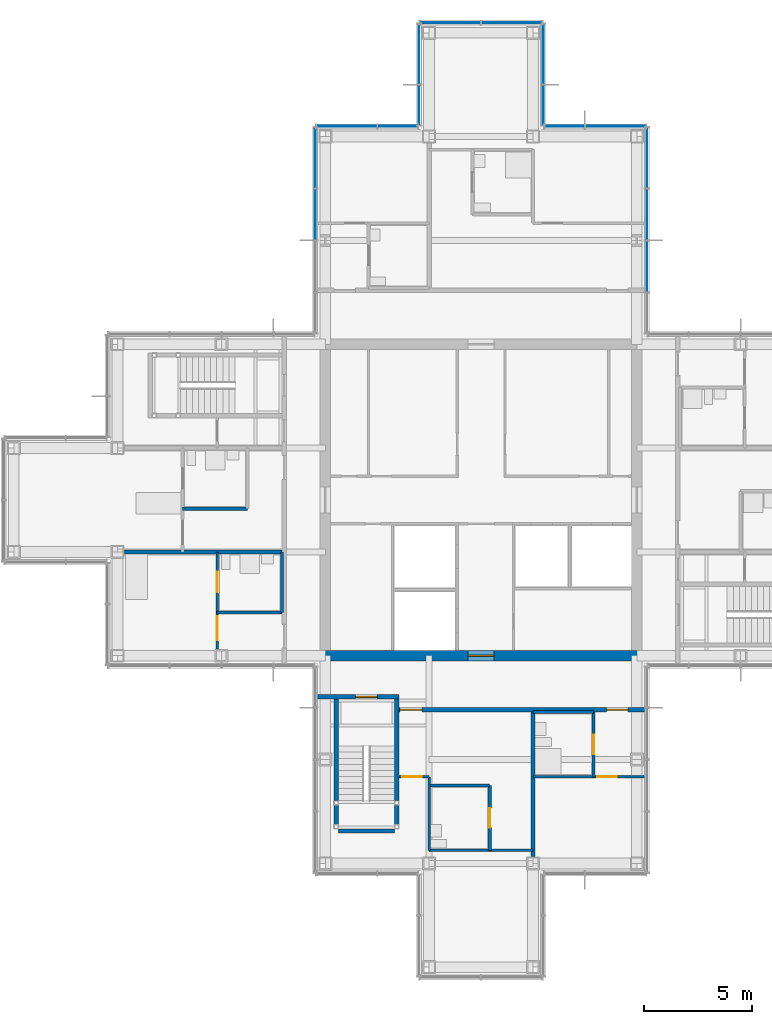
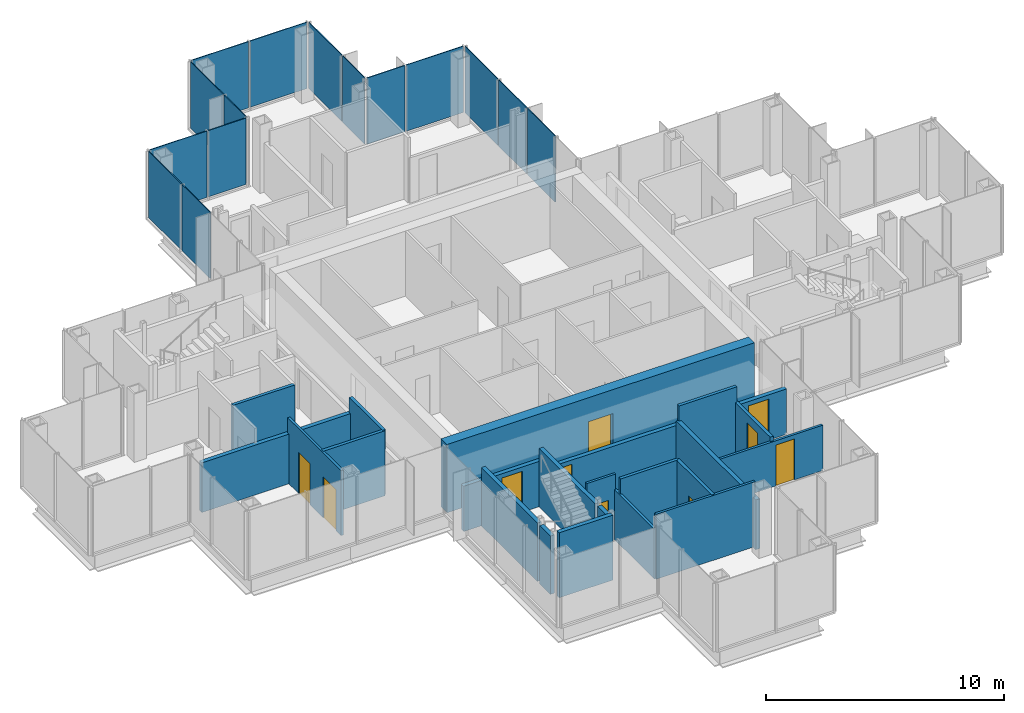
# One storey, part 11 of 17: 22 walls, 15 plates, 10 doors, 10 openings, 7 elements without a shape of their own.
"""IFC4 building model written with IfcOpenShell, lengths in metres."""

from ifc_helpers import new_model, si_unit, direction, frame, frame_2d, origin, origin_2d, place, context, subcontext, project, spatial, rectangle, extrude, material, layer, layer_set, type_object, element, fill, aggregate, save


model = new_model("IFC4")

# Units and contexts
model_context = context("Model", 3, precision=1e-05, world=origin(), true_north=direction((0.0, 1.0)))
body_context = subcontext(model_context, "Body", "Model", "MODEL_VIEW")
ifc_project = project(units=[si_unit("LENGTHUNIT", "METRE"), si_unit("AREAUNIT", "SQUARE_METRE"), si_unit("VOLUMEUNIT", "CUBIC_METRE"), si_unit("PLANEANGLEUNIT", "RADIAN"), si_unit("MASSUNIT", "GRAM", prefix="KILO")], contexts=[model_context])

# Site, building, storey
site_placement = place(None, origin())
site = spatial("IfcSite", under=ifc_project, at=site_placement, CompositionType="ELEMENT")
building_placement = place(site_placement, origin())
building = spatial("IfcBuilding", under=site, at=building_placement, Name="Kvirike Care Tower", CompositionType="ELEMENT")
storey_placement = place(building_placement, frame((0.0, 0.0, 169.0)))
storey = spatial("IfcBuildingStorey", under=building, at=storey_placement, Name="L46", CompositionType="ELEMENT", Elevation=169.0)

# Curtain wall, plates
ifc_material_1 = material(Name="Anodised aluminium stick system", Category="aluminium")
curtain_wall_type = type_object("IfcCurtainWallType", Name="CW-C STICK CURTAIN WALL", PredefinedType="NOTDEFINED", material=ifc_material_1)
curtain_wall_1_placement = place(storey_placement, origin())
curtain_wall_1 = element("IfcCurtainWall", 1, at=curtain_wall_1_placement, inside=storey, type_object=curtain_wall_type, Name="Curtain wall L46 face 8", PredefinedType="NOTDEFINED")
ifc_material_2 = material(Name="Tinted double glazed unit", Category="glass")
ifc_layer_1 = layer(ifc_material_2, 0.0400390625)
ifc_layer_set_1 = layer_set([ifc_layer_1], Name="TINTED VISION PANEL 40")
plate_type = type_object("IfcPlateType", Name="TINTED VISION PANEL 40", PredefinedType="CURTAIN_PANEL", material=ifc_layer_set_1)
plate_1_placement = place(storey_placement, frame((29.27001953125, 46.800048828125, 0.10009765625), z_axis=(0.0, 0.0, 1.0), x_axis=(0.0, 1.0, 0.0)))
plate_1 = element("IfcPlate", 2, at=plate_1_placement, type_object=plate_type, Name="CW-C panel L46 face 8.2", PredefinedType="CURTAIN_PANEL", context=body_context, shape_type="SweptSolid", body=[
    extrude(rectangle(XDim=2.3349609375, YDim=0.0400390625, at=origin_2d()), origin(), (0.0, 0.0, 1.0), 3.39990234375),
])
plate_2_placement = place(storey_placement, frame((29.27001953125, 49.199951171875, 0.10009765625), z_axis=(0.0, 0.0, 1.0), x_axis=(0.0, 1.0, 0.0)))
plate_2 = element("IfcPlate", 3, at=plate_2_placement, type_object=plate_type, Name="CW-C panel L46 face 8.3", PredefinedType="CURTAIN_PANEL", context=body_context, shape_type="SweptSolid", body=[
    extrude(rectangle(XDim=2.3349609375, YDim=0.0400390625, at=origin_2d()), origin(), (0.0, 0.0, 1.0), 3.39990234375),
])
plate_3_placement = place(storey_placement, frame((29.27001953125, 51.81884765625, 0.10009765625), z_axis=(0.0, 0.0, 1.0), x_axis=(0.0, 1.0, 0.0)))
plate_3 = element("IfcPlate", 4, at=plate_3_placement, type_object=plate_type, Name="CW-C panel L46 face 8.4", PredefinedType="CURTAIN_PANEL", context=body_context, shape_type="SweptSolid", body=[
    extrude(rectangle(XDim=2.7724609375, YDim=0.0400390625, at=origin_2d()), origin(), (0.0, 0.0, 1.0), 3.39990234375),
])
aggregate(curtain_wall_1, [plate_1, plate_2, plate_3])

curtain_wall_2_placement = place(storey_placement, origin())
curtain_wall_2 = element("IfcCurtainWall", 5, at=curtain_wall_2_placement, inside=storey, type_object=curtain_wall_type, Name="Curtain wall L46 face 9", PredefinedType="NOTDEFINED")
plate_4_placement = place(storey_placement, frame((27.81884765625, 53.27001953125, 0.10009765625), z_axis=(0.0, 0.0, 1.0), x_axis=(-1.0, 0.0, 0.0)))
plate_4 = element("IfcPlate", 6, at=plate_4_placement, type_object=plate_type, Name="CW-C panel L46 face 9.1", PredefinedType="CURTAIN_PANEL", context=body_context, shape_type="SweptSolid", body=[
    extrude(rectangle(XDim=2.7724609375, YDim=0.0400390625, at=origin_2d()), origin(), (0.0, 0.0, 1.0), 3.39990234375),
])
plate_5_placement = place(storey_placement, frame((25.451171875, 53.27001953125, 0.10009765625), z_axis=(0.0, 0.0, 1.0), x_axis=(-1.0, 0.0, 0.0)))
plate_5 = element("IfcPlate", 7, at=plate_5_placement, type_object=plate_type, Name="CW-C panel L46 face 9.2", PredefinedType="CURTAIN_PANEL", context=body_context, shape_type="SweptSolid", body=[
    extrude(rectangle(XDim=1.83251953125, YDim=0.0400390625, at=origin_2d()), origin(), (0.0, 0.0, 1.0), 3.39990234375),
])
aggregate(curtain_wall_2, [plate_4, plate_5])

curtain_wall_3_placement = place(storey_placement, origin())
curtain_wall_3 = element("IfcCurtainWall", 8, at=curtain_wall_3_placement, inside=storey, type_object=curtain_wall_type, Name="Curtain wall L46 face 10", PredefinedType="NOTDEFINED")
plate_6_placement = place(storey_placement, frame((24.469970703125, 54.251220703125, 0.10009765625), z_axis=(0.0, 0.0, 1.0), x_axis=(0.0, 1.0, 0.0)))
plate_6 = element("IfcPlate", 9, at=plate_6_placement, type_object=plate_type, Name="CW-C panel L46 face 10.1", PredefinedType="CURTAIN_PANEL", context=body_context, shape_type="SweptSolid", body=[
    extrude(rectangle(XDim=1.83251953125, YDim=0.0400390625, at=origin_2d()), origin(), (0.0, 0.0, 1.0), 3.39990234375),
])
plate_7_placement = place(storey_placement, frame((24.469970703125, 56.61865234375, 0.10009765625), z_axis=(0.0, 0.0, 1.0), x_axis=(0.0, 1.0, 0.0)))
plate_7 = element("IfcPlate", 10, at=plate_7_placement, type_object=plate_type, Name="CW-C panel L46 face 10.2", PredefinedType="CURTAIN_PANEL", context=body_context, shape_type="SweptSolid", body=[
    extrude(rectangle(XDim=2.7724609375, YDim=0.0400390625, at=origin_2d()), origin(), (0.0, 0.0, 1.0), 3.39990234375),
])
aggregate(curtain_wall_3, [plate_6, plate_7])

curtain_wall_4_placement = place(storey_placement, origin())
curtain_wall_4 = element("IfcCurtainWall", 11, at=curtain_wall_4_placement, inside=storey, type_object=curtain_wall_type, Name="Curtain wall L46 face 11", PredefinedType="NOTDEFINED")
plate_8_placement = place(storey_placement, frame((23.018798828125, 58.070068359375, 0.10009765625), z_axis=(0.0, 0.0, 1.0), x_axis=(-1.0, 0.0, 0.0)))
plate_8 = element("IfcPlate", 12, at=plate_8_placement, type_object=plate_type, Name="CW-C panel L46 face 11.1", PredefinedType="CURTAIN_PANEL", context=body_context, shape_type="SweptSolid", body=[
    extrude(rectangle(XDim=2.7724609375, YDim=0.0400390625, at=origin_2d()), origin(), (0.0, 0.0, 1.0), 3.39990234375),
])
plate_9_placement = place(storey_placement, frame((20.18115234375, 58.070068359375, 0.10009765625), z_axis=(0.0, 0.0, 1.0), x_axis=(-1.0, 0.0, 0.0)))
plate_9 = element("IfcPlate", 13, at=plate_9_placement, type_object=plate_type, Name="CW-C panel L46 face 11.2", PredefinedType="CURTAIN_PANEL", context=body_context, shape_type="SweptSolid", body=[
    extrude(rectangle(XDim=2.7724609375, YDim=0.0400390625, at=origin_2d()), origin(), (0.0, 0.0, 1.0), 3.39990234375),
])
aggregate(curtain_wall_4, [plate_8, plate_9])

curtain_wall_5_placement = place(storey_placement, origin())
curtain_wall_5 = element("IfcCurtainWall", 14, at=curtain_wall_5_placement, inside=storey, type_object=curtain_wall_type, Name="Curtain wall L46 face 12", PredefinedType="NOTDEFINED")
plate_10_placement = place(storey_placement, frame((18.72998046875, 56.61865234375, 0.10009765625), z_axis=(0.0, 0.0, 1.0), x_axis=(0.0, -1.0, 0.0)))
plate_10 = element("IfcPlate", 15, at=plate_10_placement, type_object=plate_type, Name="CW-C panel L46 face 12.1", PredefinedType="CURTAIN_PANEL", context=body_context, shape_type="SweptSolid", body=[
    extrude(rectangle(XDim=2.7724609375, YDim=0.0400390625, at=origin_2d()), origin(), (0.0, 0.0, 1.0), 3.39990234375),
])
plate_11_placement = place(storey_placement, frame((18.72998046875, 54.251220703125, 0.10009765625), z_axis=(0.0, 0.0, 1.0), x_axis=(0.0, -1.0, 0.0)))
plate_11 = element("IfcPlate", 16, at=plate_11_placement, type_object=plate_type, Name="CW-C panel L46 face 12.2", PredefinedType="CURTAIN_PANEL", context=body_context, shape_type="SweptSolid", body=[
    extrude(rectangle(XDim=1.83251953125, YDim=0.0400390625, at=origin_2d()), origin(), (0.0, 0.0, 1.0), 3.39990234375),
])
aggregate(curtain_wall_5, [plate_10, plate_11])

curtain_wall_6_placement = place(storey_placement, origin())
curtain_wall_6 = element("IfcCurtainWall", 17, at=curtain_wall_6_placement, inside=storey, type_object=curtain_wall_type, Name="Curtain wall L46 face 13", PredefinedType="NOTDEFINED")
plate_12_placement = place(storey_placement, frame((17.748779296875, 53.27001953125, 0.10009765625), z_axis=(0.0, 0.0, 1.0), x_axis=(-1.0, 0.0, 0.0)))
plate_12 = element("IfcPlate", 18, at=plate_12_placement, type_object=plate_type, Name="CW-C panel L46 face 13.1", PredefinedType="CURTAIN_PANEL", context=body_context, shape_type="SweptSolid", body=[
    extrude(rectangle(XDim=1.83251953125, YDim=0.0400390625, at=origin_2d()), origin(), (0.0, 0.0, 1.0), 3.39990234375),
])
plate_13_placement = place(storey_placement, frame((15.38134765625, 53.27001953125, 0.10009765625), z_axis=(0.0, 0.0, 1.0), x_axis=(-1.0, 0.0, 0.0)))
plate_13 = element("IfcPlate", 19, at=plate_13_placement, type_object=plate_type, Name="CW-C panel L46 face 13.2", PredefinedType="CURTAIN_PANEL", context=body_context, shape_type="SweptSolid", body=[
    extrude(rectangle(XDim=2.7724609375, YDim=0.0400390625, at=origin_2d()), origin(), (0.0, 0.0, 1.0), 3.39990234375),
])
aggregate(curtain_wall_6, [plate_12, plate_13])

curtain_wall_7_placement = place(storey_placement, origin())
curtain_wall_7 = element("IfcCurtainWall", 20, at=curtain_wall_7_placement, inside=storey, type_object=curtain_wall_type, Name="Curtain wall L46 face 14", PredefinedType="NOTDEFINED")
plate_14_placement = place(storey_placement, frame((13.929931640625, 51.81884765625, 0.10009765625), z_axis=(0.0, 0.0, 1.0), x_axis=(0.0, -1.0, 0.0)))
plate_14 = element("IfcPlate", 21, at=plate_14_placement, type_object=plate_type, Name="CW-C panel L46 face 14.1", PredefinedType="CURTAIN_PANEL", context=body_context, shape_type="SweptSolid", body=[
    extrude(rectangle(XDim=2.7724609375, YDim=0.0400390625, at=origin_2d()), origin(), (0.0, 0.0, 1.0), 3.39990234375),
])
plate_15_placement = place(storey_placement, frame((13.929931640625, 49.199951171875, 0.10009765625), z_axis=(0.0, 0.0, 1.0), x_axis=(0.0, -1.0, 0.0)))
plate_15 = element("IfcPlate", 22, at=plate_15_placement, type_object=plate_type, Name="CW-C panel L46 face 14.2", PredefinedType="CURTAIN_PANEL", context=body_context, shape_type="SweptSolid", body=[
    extrude(rectangle(XDim=2.3349609375, YDim=0.0400390625, at=origin_2d()), origin(), (0.0, 0.0, 1.0), 3.39990234375),
])
aggregate(curtain_wall_7, [plate_14, plate_15])

# Walls
ifc_material_3 = material(Name="Moisture-resistant board partition", Category="gypsum")
ifc_layer_2 = layer(ifc_material_3, 0.14990234375)
ifc_layer_set_2 = layer_set([ifc_layer_2], Name="BATHROOM WALL 150")
wall_type_1 = type_object("IfcWallType", Name="BATHROOM WALL 150", PredefinedType="PARTITIONING", material=ifc_layer_set_2)
for number, where, z_axis, x_axis, name in (
    (23, (7.800048828125, 35.60009765625, 0.0), (0.0, 0.0, 1.0), (1.0, 0.0, 0.0), "Bathroom Wall 150 L46"),
    (24, (9.39990234375, 30.800048828125, 0.0), (0.0, 0.0, 1.0), (1.0, 0.0, 0.0), "Bathroom Wall 150 L46"),
):
    element("IfcWall", number, at=place(storey_placement, frame(where, z_axis=z_axis, x_axis=x_axis)), inside=storey, type_object=wall_type_1, Name=name, PredefinedType="PARTITIONING", context=body_context, shape_type="SweptSolid", body=[
        extrude(rectangle(XDim=3.0, YDim=0.14990234375, at=frame_2d((1.5, 0.0))), origin(), (0.0, 0.0, 1.0), 3.330078125),
    ])
wall_1_placement = place(storey_placement, frame((12.39990234375, 33.60009765625, 0.0), z_axis=(0.0, 0.0, 1.0), x_axis=(0.0, -1.0, 0.0)))
element("IfcWall", 25, at=wall_1_placement, inside=storey, type_object=wall_type_1, Name="Bathroom Wall 150 L46", PredefinedType="PARTITIONING", context=body_context, shape_type="SweptSolid", body=[
    extrude(rectangle(XDim=2.800048828125, YDim=0.14990234375, at=frame_2d((1.39990234375, 0.0))), origin(), (0.0, 0.0, 1.0), 3.330078125),
])

# Wall, opening, door
wall_2_placement = place(storey_placement, frame((22.0, 19.800048828125, 0.0), z_axis=(0.0, 0.0, 1.0), x_axis=(0.0, 1.0, 0.0)))
wall_2 = element("IfcWall", 26, at=wall_2_placement, inside=storey, type_object=wall_type_1, Name="Bathroom Wall 150 L46", PredefinedType="PARTITIONING", context=body_context, shape_type="SweptSolid", body=[
    extrude(rectangle(XDim=3.0, YDim=0.14990234375, at=frame_2d((1.5, 0.0))), origin(), (0.0, 0.0, 1.0), 3.330078125),
])
opening_1_placement = place(wall_2_placement, frame((1.050048828125, 0.0, 0.0)))
opening_1 = element("IfcOpeningElement", 27, at=opening_1_placement, cuts=wall_2, Name="Opening 46-011", PredefinedType="OPENING", context=body_context, shape_type="SweptSolid", body=[
    extrude(rectangle(XDim=0.89990234375, YDim=2.10009765625, at=frame_2d((0.449951171875, 1.050048828125))), frame((0.0, 0.08544921875, 0.0), z_axis=(0.0, -1.0, 0.0), x_axis=(1.0, 0.0, 0.0)), (0.0, 0.0, 1.0), 0.1708984375),
])
ifc_material_4 = material(Name="Timber door set", Category="wood")
door_type_1 = type_object("IfcDoorType", Name="BATHROOM DOOR 900", OperationType="SINGLE_SWING_RIGHT", PredefinedType="DOOR", material=ifc_material_4)
door_1_placement = place(opening_1_placement, origin())
door_1 = element("IfcDoor", 28, at=door_1_placement, inside=storey, type_object=door_type_1, Name="Accessible WC door", OperationType="SINGLE_SWING_LEFT", OverallHeight=2.10009765625, OverallWidth=0.89990234375, PredefinedType="DOOR", context=body_context, shape_type="SweptSolid", body=[
    extrude(rectangle(XDim=0.89990234375, YDim=2.10009765625, at=frame_2d((0.449951171875, 1.050048828125))), frame((0.0, 0.02197265625, 0.0), z_axis=(0.0, -1.0, 0.0), x_axis=(1.0, 0.0, 0.0)), (0.0, 0.0, 1.0), 0.0439453125),
])
fill(opening_1, door_1)

# Wall
wall_3_placement = place(storey_placement, frame((19.199951171875, 22.800048828125, 0.0), z_axis=(0.0, 0.0, 1.0), x_axis=(1.0, 0.0, 0.0)))
element("IfcWall", 29, at=wall_3_placement, inside=storey, type_object=wall_type_1, Name="Bathroom Wall 150 L46", PredefinedType="PARTITIONING", context=body_context, shape_type="SweptSolid", body=[
    extrude(rectangle(XDim=2.800048828125, YDim=0.14990234375, at=frame_2d((1.39990234375, 0.0))), origin(), (0.0, 0.0, 1.0), 3.330078125),
])

# Wall, opening, door
wall_4_placement = place(storey_placement, frame((26.800048828125, 23.199951171875, 0.0), z_axis=(0.0, 0.0, 1.0), x_axis=(0.0, 1.0, 0.0)))
wall_4 = element("IfcWall", 30, at=wall_4_placement, inside=storey, type_object=wall_type_1, Name="Bathroom Wall 150 L46", PredefinedType="PARTITIONING", context=body_context, shape_type="SweptSolid", body=[
    extrude(rectangle(XDim=3.0, YDim=0.14990234375, at=frame_2d((1.5, 0.0))), origin(), (0.0, 0.0, 1.0), 2.550048828125),
])
opening_2_placement = place(wall_4_placement, frame((1.050048828125, 0.0, 0.0)))
opening_2 = element("IfcOpeningElement", 31, at=opening_2_placement, cuts=wall_4, Name="Opening 46-013", PredefinedType="OPENING", context=body_context, shape_type="SweptSolid", body=[
    extrude(rectangle(XDim=0.89990234375, YDim=2.10009765625, at=frame_2d((0.449951171875, 1.050048828125))), frame((0.0, 0.08544921875, 0.0), z_axis=(0.0, -1.0, 0.0), x_axis=(1.0, 0.0, 0.0)), (0.0, 0.0, 1.0), 0.1708984375),
])
door_2_placement = place(opening_2_placement, frame((0.89990234375, 0.0, 0.0), z_axis=(0.0, 0.0, 1.0), x_axis=(-1.0, 0.0, 0.0)))
door_2 = element("IfcDoor", 32, at=door_2_placement, inside=storey, type_object=door_type_1, Name="Assisted bathroom door", OperationType="SINGLE_SWING_RIGHT", OverallHeight=2.10009765625, OverallWidth=0.89990234375, PredefinedType="DOOR", context=body_context, shape_type="SweptSolid", body=[
    extrude(rectangle(XDim=0.89990234375, YDim=2.10009765625, at=frame_2d((0.449951171875, 1.050048828125))), frame((0.0, 0.02197265625, 0.0), z_axis=(0.0, -1.0, 0.0), x_axis=(1.0, 0.0, 0.0)), (0.0, 0.0, 1.0), 0.0439453125),
])
fill(opening_2, door_2)

# Wall
wall_5_placement = place(storey_placement, frame((24.0, 26.199951171875, 0.0), z_axis=(0.0, 0.0, 1.0), x_axis=(1.0, 0.0, 0.0)))
element("IfcWall", 33, at=wall_5_placement, inside=storey, type_object=wall_type_1, Name="Bathroom Wall 150 L46", PredefinedType="PARTITIONING", context=body_context, shape_type="SweptSolid", body=[
    extrude(rectangle(XDim=2.800048828125, YDim=0.14990234375, at=frame_2d((1.39990234375, 0.0))), origin(), (0.0, 0.0, 1.0), 3.330078125),
])

# Wall, opening, door
ifc_material_5 = material(Name="Concrete C45/55", Category="concrete")
ifc_layer_3 = layer(ifc_material_5, 0.5)
ifc_layer_set_3 = layer_set([ifc_layer_3], Name="CORE WALL 500 C45-55")
wall_type_2 = type_object("IfcWallType", Name="CORE WALL 500 C45-55", PredefinedType="SHEAR", material=ifc_layer_set_3)
wall_6_placement = place(storey_placement, frame((14.14990234375, 28.800048828125, -0.169921875), z_axis=(0.0, 0.0, 1.0), x_axis=(1.0, 0.0, 0.0)))
wall_6 = element("IfcWall", 34, at=wall_6_placement, inside=storey, type_object=wall_type_2, Name="Core wall S L46", PredefinedType="SHEAR", context=body_context, shape_type="SweptSolid", body=[
    extrude(rectangle(XDim=14.900146484375, YDim=0.5, at=frame_2d((7.4501953125, 0.0))), origin(), (0.0, 0.0, 1.0), 3.5),
])
opening_3_placement = place(wall_6_placement, frame((6.85009765625, 0.0, 0.169921875)))
opening_3 = element("IfcOpeningElement", 35, at=opening_3_placement, cuts=wall_6, Name="Opening 46-045", PredefinedType="OPENING", context=body_context, shape_type="SweptSolid", body=[
    extrude(rectangle(XDim=1.199951171875, YDim=2.10009765625, at=frame_2d((0.60009765625, 1.050048828125))), frame((0.0, 0.260498046875, 0.0), z_axis=(0.0, -1.0, 0.0), x_axis=(1.0, 0.0, 0.0)), (0.0, 0.0, 1.0), 0.52099609375),
])
ifc_material_6 = material(Name="Timber door set", Category="wood")
door_type_2 = type_object("IfcDoorType", Name="CORE DOOR 1200", OperationType="SINGLE_SWING_LEFT", PredefinedType="DOOR", material=ifc_material_6)
door_3_placement = place(opening_3_placement, origin())
door_3 = element("IfcDoor", 36, at=door_3_placement, inside=storey, type_object=door_type_2, Name="Core door S L46", OperationType="SINGLE_SWING_LEFT", OverallHeight=2.10009765625, OverallWidth=1.199951171875, PredefinedType="DOOR", context=body_context, shape_type="SweptSolid", body=[
    extrude(rectangle(XDim=1.199951171875, YDim=2.10009765625, at=frame_2d((0.60009765625, 1.050048828125))), frame((0.0, 0.02685546875, 0.0), z_axis=(0.0, -1.0, 0.0), x_axis=(1.0, 0.0, 0.0)), (0.0, 0.0, 1.0), 0.053955078125),
])
fill(opening_3, door_3)

# Wall, openings, doors
ifc_material_7 = material(Name="Plasterboard corridor wall", Category="gypsum")
ifc_layer_4 = layer(ifc_material_7, 0.199951171875)
ifc_layer_set_4 = layer_set([ifc_layer_4], Name="CORRIDOR WALL 200")
wall_type_3 = type_object("IfcWallType", Name="CORRIDOR WALL 200", PredefinedType="PARTITIONING", material=ifc_layer_set_4)
wall_7_placement = place(storey_placement, frame((17.800048828125, 26.300048828125, 0.0), z_axis=(0.0, 0.0, 1.0), x_axis=(1.0, 0.0, 0.0)))
wall_7 = element("IfcWall", 37, at=wall_7_placement, inside=storey, type_object=wall_type_3, Name="Corridor Wall 200 L46", PredefinedType="PARTITIONING", context=body_context, shape_type="SweptSolid", body=[
    extrude(rectangle(XDim=11.449951171875, YDim=0.199951171875, at=frame_2d((5.72509765625, 0.0))), origin(), (0.0, 0.0, 1.0), 2.320068359375),
])
opening_4_placement = place(wall_7_placement, frame((0.06005859375, 0.0, 0.0)))
opening_4 = element("IfcOpeningElement", 38, at=opening_4_placement, cuts=wall_7, Name="Opening 46-015", PredefinedType="OPENING", context=body_context, shape_type="SweptSolid", body=[
    extrude(rectangle(XDim=1.0, YDim=2.10009765625, at=frame_2d((0.5, 1.050048828125))), frame((0.0, 0.110595703125, 0.0), z_axis=(0.0, -1.0, 0.0), x_axis=(1.0, 0.0, 0.0)), (0.0, 0.0, 1.0), 0.220947265625),
])
opening_5_placement = place(wall_7_placement, frame((9.60009765625, 0.0, 0.0)))
opening_5 = element("IfcOpeningElement", 39, at=opening_5_placement, cuts=wall_7, Name="Opening 46-016", PredefinedType="OPENING", context=body_context, shape_type="SweptSolid", body=[
    extrude(rectangle(XDim=1.0, YDim=2.10009765625, at=frame_2d((0.5, 1.050048828125))), frame((0.0, 0.110595703125, 0.0), z_axis=(0.0, -1.0, 0.0), x_axis=(1.0, 0.0, 0.0)), (0.0, 0.0, 1.0), 0.220947265625),
])
ifc_material_8 = material(Name="Timber door set", Category="wood")
door_type_3 = type_object("IfcDoorType", Name="FLAT ENTRANCE DOOR 1000", OperationType="SINGLE_SWING_LEFT", PredefinedType="DOOR", material=ifc_material_8)
door_4_placement = place(opening_4_placement, frame((1.0, 0.0, 0.0), z_axis=(0.0, 0.0, 1.0), x_axis=(-1.0, 0.0, 0.0)))
door_4 = element("IfcDoor", 40, at=door_4_placement, inside=storey, type_object=door_type_3, Name="Hobby room entrance", OperationType="SINGLE_SWING_LEFT", OverallHeight=2.10009765625, OverallWidth=1.0, PredefinedType="DOOR", context=body_context, shape_type="SweptSolid", body=[
    extrude(rectangle(XDim=1.0, YDim=2.10009765625, at=frame_2d((0.5, 1.050048828125))), frame((0.0, 0.02685546875, 0.0), z_axis=(0.0, -1.0, 0.0), x_axis=(1.0, 0.0, 0.0)), (0.0, 0.0, 1.0), 0.053955078125),
])
fill(opening_4, door_4)
door_5_placement = place(opening_5_placement, frame((1.0, 0.0, 0.0), z_axis=(0.0, 0.0, 1.0), x_axis=(-1.0, 0.0, 0.0)))
door_5 = element("IfcDoor", 41, at=door_5_placement, inside=storey, type_object=door_type_3, Name="Care base entrance", OperationType="SINGLE_SWING_RIGHT", OverallHeight=2.10009765625, OverallWidth=1.0, PredefinedType="DOOR", context=body_context, shape_type="SweptSolid", body=[
    extrude(rectangle(XDim=1.0, YDim=2.10009765625, at=frame_2d((0.5, 1.050048828125))), frame((0.0, 0.02685546875, 0.0), z_axis=(0.0, -1.0, 0.0), x_axis=(1.0, 0.0, 0.0)), (0.0, 0.0, 1.0), 0.053955078125),
])
fill(opening_5, door_5)

ifc_material_9 = material(Name="Plasterboard partition", Category="gypsum")
ifc_layer_5 = layer(ifc_material_9, 0.1201171875)
ifc_layer_set_5 = layer_set([ifc_layer_5], Name="PARTITION 120")
wall_type_4 = type_object("IfcWallType", Name="PARTITION 120", PredefinedType="PARTITIONING", material=ifc_layer_set_5)
wall_8_placement = place(storey_placement, frame((9.39990234375, 33.60009765625, 0.0), z_axis=(0.0, 0.0, 1.0), x_axis=(0.0, -1.0, 0.0)))
wall_8 = element("IfcWall", 42, at=wall_8_placement, inside=storey, type_object=wall_type_4, Name="Partition 120 L46", PredefinedType="PARTITIONING", context=body_context, shape_type="SweptSolid", body=[
    extrude(rectangle(XDim=4.47998046875, YDim=0.1201171875, at=frame_2d((2.239990234375, 0.0))), origin(), (0.0, 0.0, 1.0), 3.330078125),
])
opening_6_placement = place(wall_8_placement, frame((2.97509765625, 0.0, 0.0)))
opening_6 = element("IfcOpeningElement", 43, at=opening_6_placement, cuts=wall_8, Name="Opening 46-004", PredefinedType="OPENING", context=body_context, shape_type="SweptSolid", body=[
    extrude(rectangle(XDim=1.10009765625, YDim=2.10009765625, at=frame_2d((0.550048828125, 1.050048828125))), frame((0.0, 0.070556640625, 0.0), z_axis=(0.0, -1.0, 0.0), x_axis=(1.0, 0.0, 0.0)), (0.0, 0.0, 1.0), 0.14111328125),
])
opening_7_placement = place(wall_8_placement, frame((0.925048828125, 0.0, 0.0)))
opening_7 = element("IfcOpeningElement", 44, at=opening_7_placement, cuts=wall_8, Name="Opening 46-005", PredefinedType="OPENING", context=body_context, shape_type="SweptSolid", body=[
    extrude(rectangle(XDim=0.949951171875, YDim=2.10009765625, at=frame_2d((0.47509765625, 1.050048828125))), frame((0.0, 0.070556640625, 0.0), z_axis=(0.0, -1.0, 0.0), x_axis=(1.0, 0.0, 0.0)), (0.0, 0.0, 1.0), 0.14111328125),
])
ifc_material_10 = material(Name="Timber door set", Category="wood")
door_type_4 = type_object("IfcDoorType", Name="BEDROOM DOOR 1100", OperationType="SINGLE_SWING_LEFT", PredefinedType="DOOR", material=ifc_material_10)
door_6_placement = place(opening_6_placement, origin())
door_6 = element("IfcDoor", 45, at=door_6_placement, inside=storey, type_object=door_type_4, Name="Memory care bedroom door", OperationType="SINGLE_SWING_RIGHT", OverallHeight=2.10009765625, OverallWidth=1.10009765625, PredefinedType="DOOR", context=body_context, shape_type="SweptSolid", body=[
    extrude(rectangle(XDim=1.10009765625, YDim=2.10009765625, at=frame_2d((0.550048828125, 1.050048828125))), frame((0.0, 0.02197265625, 0.0), z_axis=(0.0, -1.0, 0.0), x_axis=(1.0, 0.0, 0.0)), (0.0, 0.0, 1.0), 0.0439453125),
])
fill(opening_6, door_6)
ifc_material_11 = material(Name="Timber door set", Category="wood")
door_type_5 = type_object("IfcDoorType", Name="EN-SUITE SLIDING DOOR 950", OperationType="SLIDING_TO_LEFT", PredefinedType="DOOR", material=ifc_material_11)
door_7_placement = place(opening_7_placement, origin())
door_7 = element("IfcDoor", 46, at=door_7_placement, inside=storey, type_object=door_type_5, Name="En-suite door", OperationType="SLIDING_TO_RIGHT", OverallHeight=2.10009765625, OverallWidth=0.949951171875, PredefinedType="DOOR", context=body_context, shape_type="SweptSolid", body=[
    extrude(rectangle(XDim=0.949951171875, YDim=2.10009765625, at=frame_2d((0.47509765625, 1.050048828125))), frame((0.0, 0.02197265625, 0.0), z_axis=(0.0, -1.0, 0.0), x_axis=(1.0, 0.0, 0.0)), (0.0, 0.0, 1.0), 0.0439453125),
])
fill(opening_7, door_7)

# Wall, opening, door
wall_9_placement = place(storey_placement, frame((17.800048828125, 23.199951171875, 0.0), z_axis=(0.0, 0.0, 1.0), x_axis=(1.0, 0.0, 0.0)))
wall_9 = element("IfcWall", 47, at=wall_9_placement, inside=storey, type_object=wall_type_4, Name="Partition 120 L46", PredefinedType="PARTITIONING", context=body_context, shape_type="SweptSolid", body=[
    extrude(rectangle(XDim=1.39990234375, YDim=0.1201171875, at=frame_2d((0.699951171875, 0.0))), origin(), (0.0, 0.0, 1.0), 3.330078125),
])
opening_8_placement = place(wall_9_placement, frame((0.14990234375, 0.0, 0.0)))
opening_8 = element("IfcOpeningElement", 48, at=opening_8_placement, cuts=wall_9, Name="Opening 46-012", PredefinedType="OPENING", context=body_context, shape_type="SweptSolid", body=[
    extrude(rectangle(XDim=0.89990234375, YDim=2.10009765625, at=frame_2d((0.449951171875, 1.050048828125))), frame((0.0, 0.070556640625, 0.0), z_axis=(0.0, -1.0, 0.0), x_axis=(1.0, 0.0, 0.0)), (0.0, 0.0, 1.0), 0.14111328125),
])
ifc_material_12 = material(Name="Timber door set", Category="wood")
door_type_6 = type_object("IfcDoorType", Name="INTERNAL DOOR 900", OperationType="SINGLE_SWING_LEFT", PredefinedType="DOOR", material=ifc_material_12)
door_8_placement = place(opening_8_placement, origin())
door_8 = element("IfcDoor", 49, at=door_8_placement, inside=storey, type_object=door_type_6, Name="Hobby room door", OperationType="SINGLE_SWING_RIGHT", OverallHeight=2.10009765625, OverallWidth=0.89990234375, PredefinedType="DOOR", context=body_context, shape_type="SweptSolid", body=[
    extrude(rectangle(XDim=0.89990234375, YDim=2.10009765625, at=frame_2d((0.449951171875, 1.050048828125))), frame((0.0, 0.02197265625, 0.0), z_axis=(0.0, -1.0, 0.0), x_axis=(1.0, 0.0, 0.0)), (0.0, 0.0, 1.0), 0.0439453125),
])
fill(opening_8, door_8)

# Walls
wall_10_placement = place(storey_placement, frame((19.199951171875, 19.800048828125, 0.0), z_axis=(0.0, 0.0, 1.0), x_axis=(1.0, 0.0, 0.0)))
element("IfcWall", 50, at=wall_10_placement, inside=storey, type_object=wall_type_4, Name="Partition 120 L46", PredefinedType="PARTITIONING", context=body_context, shape_type="SweptSolid", body=[
    extrude(rectangle(XDim=4.800048828125, YDim=0.1201171875, at=frame_2d((2.39990234375, 0.0))), origin(), (0.0, 0.0, 1.0), 3.330078125),
])
wall_11_placement = place(storey_placement, frame((19.199951171875, 19.800048828125, 0.0), z_axis=(0.0, 0.0, 1.0), x_axis=(0.0, 1.0, 0.0)))
element("IfcWall", 51, at=wall_11_placement, inside=storey, type_object=wall_type_4, Name="Partition 120 L46", PredefinedType="PARTITIONING", context=body_context, shape_type="SweptSolid", body=[
    extrude(rectangle(XDim=3.39990234375, YDim=0.1201171875, at=frame_2d((1.699951171875, 0.0))), origin(), (0.0, 0.0, 1.0), 2.550048828125),
])

# Wall, opening, door
wall_12_placement = place(storey_placement, frame((24.0, 23.199951171875, 0.0), z_axis=(0.0, 0.0, 1.0), x_axis=(1.0, 0.0, 0.0)))
wall_12 = element("IfcWall", 52, at=wall_12_placement, inside=storey, type_object=wall_type_4, Name="Partition 120 L46", PredefinedType="PARTITIONING", context=body_context, shape_type="SweptSolid", body=[
    extrude(rectangle(XDim=5.25, YDim=0.1201171875, at=frame_2d((2.625, 0.0))), origin(), (0.0, 0.0, 1.0), 2.320068359375),
])
opening_9_placement = place(wall_12_placement, frame((2.97509765625, 0.0, 0.0)))
opening_9 = element("IfcOpeningElement", 53, at=opening_9_placement, cuts=wall_12, Name="Opening 46-014", PredefinedType="OPENING", context=body_context, shape_type="SweptSolid", body=[
    extrude(rectangle(XDim=0.89990234375, YDim=2.10009765625, at=frame_2d((0.449951171875, 1.050048828125))), frame((0.0, 0.070556640625, 0.0), z_axis=(0.0, -1.0, 0.0), x_axis=(1.0, 0.0, 0.0)), (0.0, 0.0, 1.0), 0.14111328125),
])
door_9_placement = place(opening_9_placement, origin())
door_9 = element("IfcDoor", 54, at=door_9_placement, inside=storey, type_object=door_type_6, Name="Quiet room door", OperationType="SINGLE_SWING_RIGHT", OverallHeight=2.10009765625, OverallWidth=0.89990234375, PredefinedType="DOOR", context=body_context, shape_type="SweptSolid", body=[
    extrude(rectangle(XDim=0.89990234375, YDim=2.10009765625, at=frame_2d((0.449951171875, 1.050048828125))), frame((0.0, 0.02197265625, 0.0), z_axis=(0.0, -1.0, 0.0), x_axis=(1.0, 0.0, 0.0)), (0.0, 0.0, 1.0), 0.0439453125),
])
fill(opening_9, door_9)

# Walls
ifc_material_13 = material(Name="Plasterboard party wall", Category="gypsum")
ifc_layer_6 = layer(ifc_material_13, 0.199951171875)
ifc_layer_set_6 = layer_set([ifc_layer_6], Name="PARTY WALL 200")
wall_type_5 = type_object("IfcWallType", Name="PARTY WALL 200", PredefinedType="PARTITIONING", material=ifc_layer_set_6)
wall_13_placement = place(storey_placement, frame((5.1201171875, 33.60009765625, 0.0), z_axis=(0.0, 0.0, 1.0), x_axis=(1.0, 0.0, 0.0)))
element("IfcWall", 55, at=wall_13_placement, inside=storey, type_object=wall_type_5, Name="Party Wall 200 L46", PredefinedType="PARTITIONING", context=body_context, shape_type="SweptSolid", body=[
    extrude(rectangle(XDim=7.27978515625, YDim=0.199951171875, at=frame_2d((3.639892578125, 0.0))), origin(), (0.0, 0.0, 1.0), 2.550048828125),
])
wall_14_placement = place(storey_placement, frame((24.0, 19.52001953125, 0.0), z_axis=(0.0, 0.0, 1.0), x_axis=(0.0, 1.0, 0.0)))
element("IfcWall", 56, at=wall_14_placement, inside=storey, type_object=wall_type_5, Name="Party Wall 200 L46", PredefinedType="PARTITIONING", context=body_context, shape_type="SweptSolid", body=[
    extrude(rectangle(XDim=6.679931640625, YDim=0.199951171875, at=frame_2d((3.33984375, 0.0))), origin(), (0.0, 0.0, 1.0), 2.550048828125),
])
ifc_material_14 = material(Name="Concrete C40/50", Category="concrete")
ifc_layer_7 = layer(ifc_material_14, 0.199951171875)
ifc_layer_set_7 = layer_set([ifc_layer_7], Name="STAIR WALL 200")
wall_type_6 = type_object("IfcWallType", Name="STAIR WALL 200", PredefinedType="SOLIDWALL", material=ifc_layer_set_7)
wall_15_placement = place(storey_placement, frame((14.89990234375, 21.0, 0.0), z_axis=(0.0, 0.0, 1.0), x_axis=(0.0, 1.0, 0.0)))
element("IfcWall", 57, at=wall_15_placement, inside=storey, type_object=wall_type_6, Name="Stair Wall 200 L46", PredefinedType="SOLIDWALL", context=body_context, shape_type="SweptSolid", body=[
    extrude(rectangle(XDim=0.89990234375, YDim=0.199951171875, at=frame_2d((0.449951171875, 0.0))), origin(), (0.0, 0.0, 1.0), 2.989990234375),
])
wall_16_placement = place(storey_placement, frame((14.89990234375, 22.10009765625, 0.0), z_axis=(0.0, 0.0, 1.0), x_axis=(0.0, 1.0, 0.0)))
element("IfcWall", 58, at=wall_16_placement, inside=storey, type_object=wall_type_6, Name="Stair Wall 200 L46", PredefinedType="SOLIDWALL", context=body_context, shape_type="SweptSolid", body=[
    extrude(rectangle(XDim=4.699951171875, YDim=0.199951171875, at=frame_2d((2.35009765625, 0.0))), origin(), (0.0, 0.0, 1.0), 2.989990234375),
])
wall_17_placement = place(storey_placement, frame((17.699951171875, 21.0, 0.0), z_axis=(0.0, 0.0, 1.0), x_axis=(0.0, 1.0, 0.0)))
element("IfcWall", 59, at=wall_17_placement, inside=storey, type_object=wall_type_6, Name="Stair Wall 200 L46", PredefinedType="SOLIDWALL", context=body_context, shape_type="SweptSolid", body=[
    extrude(rectangle(XDim=0.89990234375, YDim=0.199951171875, at=frame_2d((0.449951171875, 0.0))), origin(), (0.0, 0.0, 1.0), 2.989990234375),
])
wall_18_placement = place(storey_placement, frame((17.699951171875, 22.10009765625, 0.0), z_axis=(0.0, 0.0, 1.0), x_axis=(0.0, 1.0, 0.0)))
element("IfcWall", 60, at=wall_18_placement, inside=storey, type_object=wall_type_6, Name="Stair Wall 200 L46", PredefinedType="SOLIDWALL", context=body_context, shape_type="SweptSolid", body=[
    extrude(rectangle(XDim=4.699951171875, YDim=0.199951171875, at=frame_2d((2.35009765625, 0.0))), origin(), (0.0, 0.0, 1.0), 2.989990234375),
])
wall_19_placement = place(storey_placement, frame((15.0, 20.699951171875, 0.0), z_axis=(0.0, 0.0, 1.0), x_axis=(1.0, 0.0, 0.0)))
element("IfcWall", 61, at=wall_19_placement, inside=storey, type_object=wall_type_6, Name="Stair Wall 200 L46", PredefinedType="SOLIDWALL", context=body_context, shape_type="SweptSolid", body=[
    extrude(rectangle(XDim=2.60009765625, YDim=0.199951171875, at=frame_2d((1.300048828125, 0.0))), origin(), (0.0, 0.0, 1.0), 3.330078125),
])

# Wall, opening, door
wall_20_placement = place(storey_placement, frame((13.949951171875, 26.89990234375, 0.0), z_axis=(0.0, 0.0, 1.0), x_axis=(1.0, 0.0, 0.0)))
wall_20 = element("IfcWall", 62, at=wall_20_placement, inside=storey, type_object=wall_type_6, Name="Stair Wall 200 L46", PredefinedType="SOLIDWALL", context=body_context, shape_type="SweptSolid", body=[
    extrude(rectangle(XDim=3.85009765625, YDim=0.199951171875, at=frame_2d((1.925048828125, 0.0))), origin(), (0.0, 0.0, 1.0), 2.320068359375),
])
opening_10_placement = place(wall_20_placement, frame((1.85009765625, 0.0, 0.0)))
opening_10 = element("IfcOpeningElement", 63, at=opening_10_placement, cuts=wall_20, Name="Opening 46-010", PredefinedType="OPENING", context=body_context, shape_type="SweptSolid", body=[
    extrude(rectangle(XDim=1.0, YDim=2.10009765625, at=frame_2d((0.5, 1.050048828125))), frame((0.0, 0.110595703125, 0.0), z_axis=(0.0, -1.0, 0.0), x_axis=(1.0, 0.0, 0.0)), (0.0, 0.0, 1.0), 0.220947265625),
])
ifc_material_15 = material(Name="Timber door set", Category="wood")
door_type_7 = type_object("IfcDoorType", Name="STAIR DOOR 1000", OperationType="SINGLE_SWING_LEFT", PredefinedType="DOOR", material=ifc_material_15)
door_10_placement = place(opening_10_placement, frame((1.0, 0.0, 0.0), z_axis=(0.0, 0.0, 1.0), x_axis=(-1.0, 0.0, 0.0)))
door_10 = element("IfcDoor", 64, at=door_10_placement, inside=storey, type_object=door_type_7, Name="Stair 5 door", OperationType="SINGLE_SWING_RIGHT", OverallHeight=2.10009765625, OverallWidth=1.0, PredefinedType="DOOR", context=body_context, shape_type="SweptSolid", body=[
    extrude(rectangle(XDim=1.0, YDim=2.10009765625, at=frame_2d((0.5, 1.050048828125))), frame((0.0, 0.031982421875, 0.0), z_axis=(0.0, -1.0, 0.0), x_axis=(1.0, 0.0, 0.0)), (0.0, 0.0, 1.0), 0.06396484375),
])
fill(opening_10, door_10)

save(model, "model.ifc")
